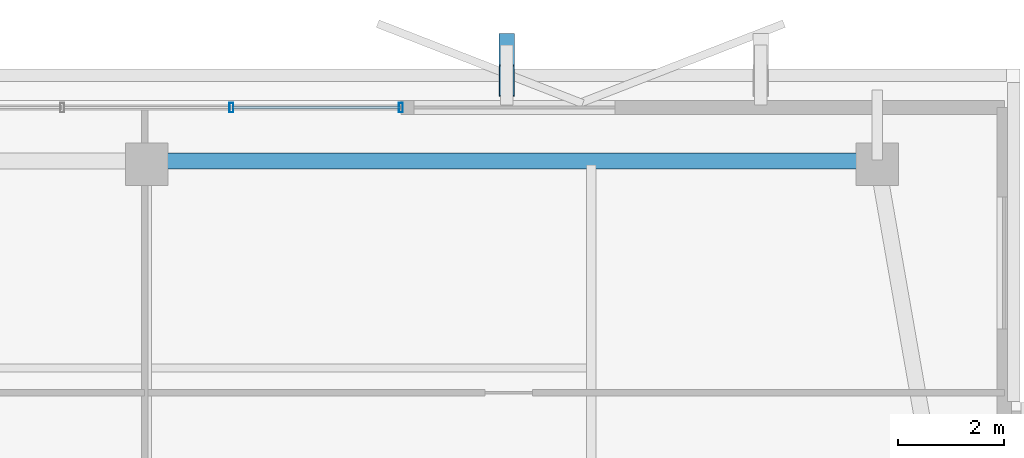
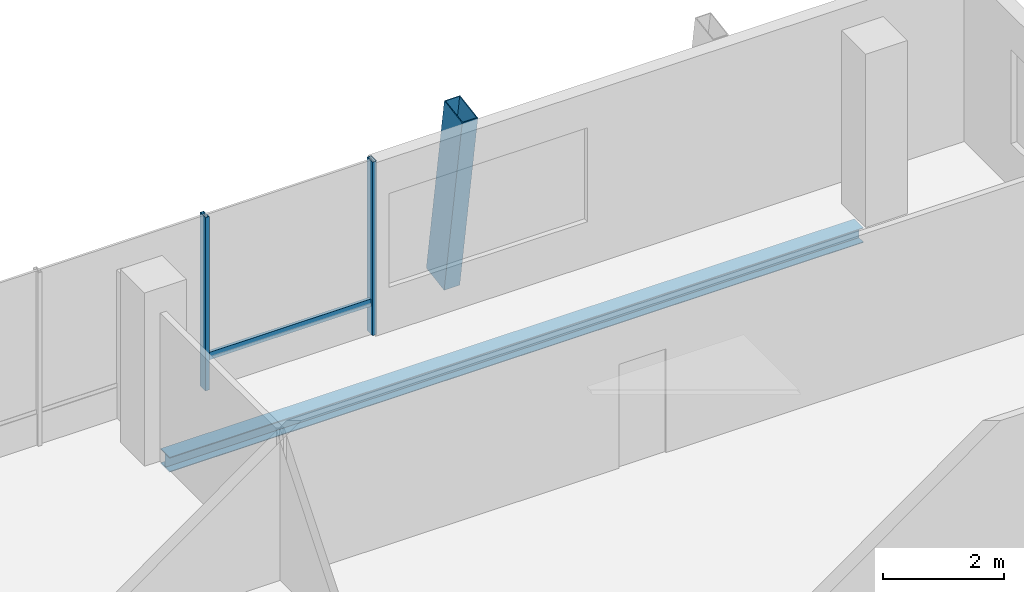
# One storey, part 11 of 17: 4 members, 1 beam, 1 element without a shape of its own.
"""IFC4 building model written with IfcOpenShell, lengths in metres."""

from ifc_helpers import new_model, si_unit, direction, frame, origin, origin_2d, place, context, subcontext, project, spatial, hollow_rectangle, i_section, extrude, material, layer, layer_set, material_profile, profile_set, type_object, element, aggregate, save


model = new_model("IFC4")

# Units and contexts
model_context = context("Model", 3, precision=1e-05, world=origin(), true_north=direction((0.0, 1.0)))
body_context = subcontext(model_context, "Body", "Model", "MODEL_VIEW")
ifc_project = project(units=[si_unit("LENGTHUNIT", "METRE"), si_unit("AREAUNIT", "SQUARE_METRE"), si_unit("VOLUMEUNIT", "CUBIC_METRE"), si_unit("PLANEANGLEUNIT", "RADIAN"), si_unit("MASSUNIT", "GRAM", prefix="KILO")], contexts=[model_context])

# Site, building, storey
site_placement = place(None, origin())
site = spatial("IfcSite", under=ifc_project, at=site_placement, CompositionType="ELEMENT")
building_placement = place(site_placement, origin())
building = spatial("IfcBuilding", under=site, at=building_placement, Name="Belovzor Exchange Tower", CompositionType="ELEMENT")
storey_placement = place(building_placement, frame((0.0, 0.0, 333.0)))
storey = spatial("IfcBuildingStorey", under=building, at=storey_placement, Name="L83", CompositionType="ELEMENT", Elevation=333.0)

# Curtain wall, members
ifc_material_1 = material(Name="Anodised Aluminium Framing", Category="aluminium")
ifc_layer = layer(ifc_material_1, 0.179931640625)
ifc_layer_set = layer_set([ifc_layer], Name="Anodised Aluminium Framing")
curtain_wall_type = type_object("IfcCurtainWallType", Name="Recessed Loggia Low-Iron Triple-Glazed Curtain Wall", PredefinedType="NOTDEFINED", material=ifc_layer_set)
curtain_wall_placement = place(storey_placement, origin())
curtain_wall = element("IfcCurtainWall", 1, at=curtain_wall_placement, inside=storey, type_object=curtain_wall_type, Name="CW3 Recessed Loggia Low-Iron Triple-Glazed Curtain Wall L83", PredefinedType="NOTDEFINED")
ifc_material_2 = material(Name="Steel S355", Category="steel")
ifc_material_profile_1 = material_profile(ifc_material_2, hollow_rectangle(XDim=0.074951171875, YDim=0.179931640625, WallThickness=0.0048828125, at=origin_2d()))
ifc_profile_set_1 = profile_set([ifc_material_profile_1], Name="Steel S355")
member_type_1 = type_object("IfcMemberType", Name="Thermally Broken Curtain Wall Mullion 180x75", PredefinedType="MULLION", material=ifc_profile_set_1)
member_1_placement = place(storey_placement, frame((30.39990234375, 50.8701171875, 0.0), z_axis=(0.0, 0.0, 1.0), x_axis=(1.0, 0.0, 0.0)))
member_1 = element("IfcMember", 2, at=member_1_placement, type_object=member_type_1, Name="CW-M180 Curtain Wall Mullion 3", PredefinedType="MULLION", context=body_context, shape_type="SweptSolid", body=[
    extrude(hollow_rectangle(XDim=0.074951171875, YDim=0.179931640625, WallThickness=0.0048828125, at=origin_2d()), origin(), (0.0, 0.0, 1.0), 3.510009765625),
])
member_2_placement = place(storey_placement, frame((33.60009765625, 50.8701171875, 0.0), z_axis=(0.0, 0.0, 1.0), x_axis=(1.0, 0.0, 0.0)))
member_2 = element("IfcMember", 3, at=member_2_placement, type_object=member_type_1, Name="CW-M180 Curtain Wall Mullion 4", PredefinedType="MULLION", context=body_context, shape_type="SweptSolid", body=[
    extrude(hollow_rectangle(XDim=0.074951171875, YDim=0.179931640625, WallThickness=0.0048828125, at=origin_2d()), origin(), (0.0, 0.0, 1.0), 3.510009765625),
])
ifc_material_3 = material(Name="Steel S355", Category="steel")
ifc_material_profile_2 = material_profile(ifc_material_3, hollow_rectangle(XDim=0.06005859375, YDim=0.14990234375, WallThickness=0.00390625, at=origin_2d()))
ifc_profile_set_2 = profile_set([ifc_material_profile_2], Name="Steel S355")
member_type_2 = type_object("IfcMemberType", Name="Thermally Broken Curtain Wall Transom 150x60", PredefinedType="USERDEFINED", material=ifc_profile_set_2)
member_3_placement = place(storey_placement, frame((30.407958984375, 50.8701171875, 0.632080078125), z_axis=(1.0, 0.0, 0.0), x_axis=(0.0, 1.0, 0.0)))
member_3 = element("IfcMember", 4, at=member_3_placement, type_object=member_type_2, Name="CW-T150 Curtain Wall Transom 3", ObjectType="TRANSOM", PredefinedType="USERDEFINED", context=body_context, shape_type="SweptSolid", body=[
    extrude(hollow_rectangle(XDim=0.06005859375, YDim=0.14990234375, WallThickness=0.00390625, at=origin_2d()), origin(), (0.0, 0.0, 1.0), 3.18408203125),
])
aggregate(curtain_wall, [member_1, member_2, member_3])

# Member
ifc_material_4 = material(Name="Extruded Architectural Terracotta on Steel S355 Carrier", Category="masonry")
ifc_material_profile_3 = material_profile(ifc_material_4, hollow_rectangle(XDim=0.300048828125, YDim=0.60009765625, WallThickness=0.01611328125, at=origin_2d()))
ifc_profile_set_3 = profile_set([ifc_material_profile_3], Name="Extruded Architectural Terracotta on Steel S355 Carrier")
member_type_3 = type_object("IfcMemberType", Name="Upper Crown Terracotta Fin Assembly 550", PredefinedType="USERDEFINED", material=ifc_profile_set_3)
member_4_placement = place(storey_placement, frame((35.60009765625, 51.97509765625, -0.239990234375), z_axis=(0.0, -0.158015573692, 0.987436619977), x_axis=(1.0, 0.0, 0.0)))
element("IfcMember", 5, at=member_4_placement, inside=storey, type_object=member_type_3, Name="FIN-TC055 Terracotta Facade Fin L83 N3", ObjectType="FIN", PredefinedType="USERDEFINED", context=body_context, shape_type="SweptSolid", body=[
    extrude(hollow_rectangle(XDim=0.300048828125, YDim=0.60009765625, WallThickness=0.01611328125, at=origin_2d()), origin(), (0.0, 0.0, 1.0), 3.797607421875),
])

# Beam
ifc_material_5 = material(Name="Steel S355", Category="steel")
ifc_material_profile_4 = material_profile(ifc_material_5, i_section(OverallWidth=0.300048828125, OverallDepth=0.300048828125, WebThickness=0.008544921875, FlangeThickness=0.013916015625, at=origin_2d()))
ifc_profile_set_4 = profile_set([ifc_material_profile_4], Name="Steel S355")
beam_type = type_object("IfcBeamType", Name="Zone 6 Primary Girder HEA 300", PredefinedType="BEAM", material=ifc_profile_set_4)
beam_placement = place(storey_placement, frame((42.339111328125, 49.862060546875, -0.389892578125), z_axis=(-1.0, 0.0, 0.0), x_axis=(0.0, -1.0, 0.0)))
element("IfcBeam", 6, at=beam_placement, inside=storey, type_object=beam_type, Name="FG-Z6 Zone 6 Primary Girder HEA 300", PredefinedType="BEAM", context=body_context, shape_type="SweptSolid", body=[
    extrude(i_section(OverallWidth=0.300048828125, OverallDepth=0.300048828125, WebThickness=0.008544921875, FlangeThickness=0.013916015625, at=origin_2d()), origin(), (0.0, 0.0, 1.0), 13.278076171875),
])

save(model, "model.ifc")
